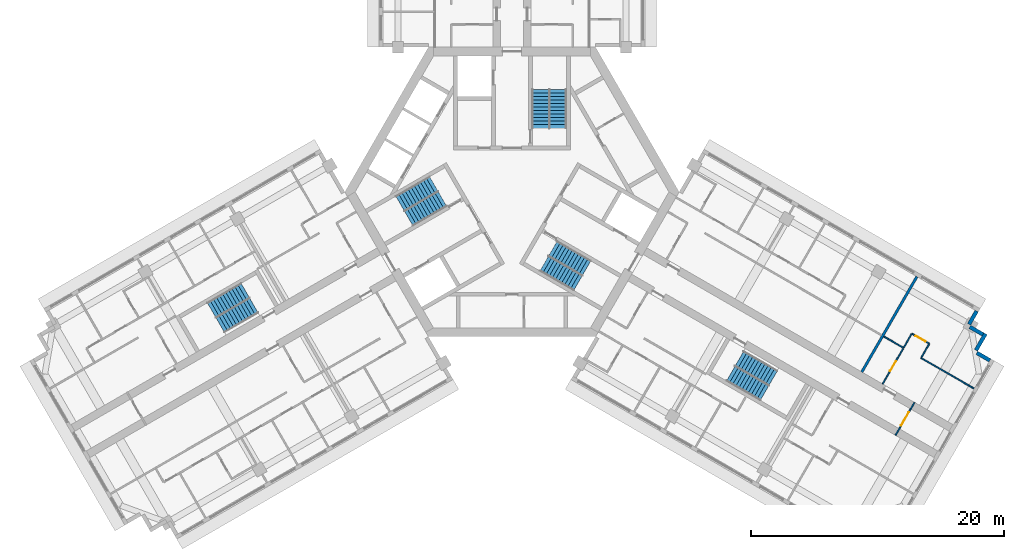
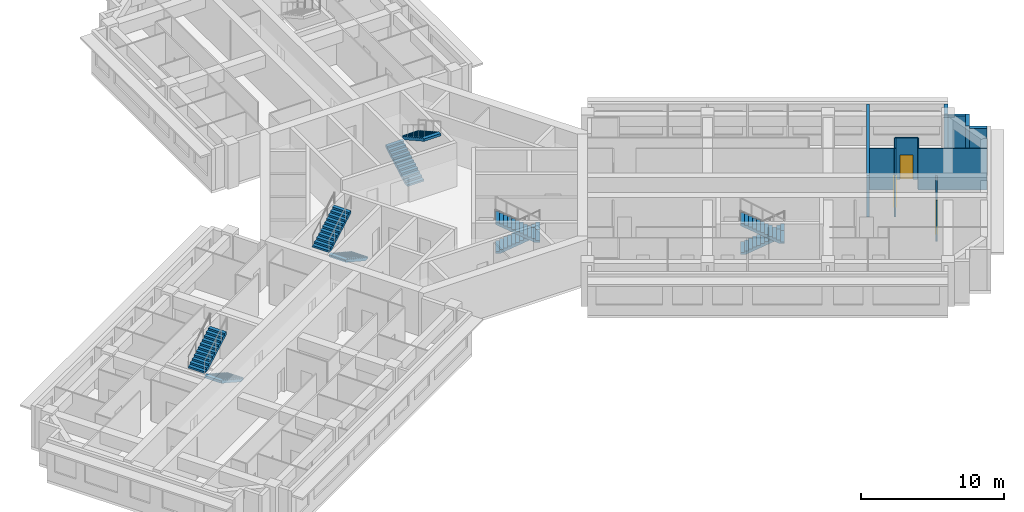
# One storey, part 10 of 12: 12 walls, 10 stair flights, 3 doors, 3 openings, 5 elements without a shape of their own.
"""IFC4 building model written with IfcOpenShell, lengths in metres."""

from ifc_helpers import new_model, si_unit, direction, frame, frame_2d, origin, place, context, subcontext, project, spatial, polyline, rectangle, outline, extrude, material, layer, layer_set, type_object, element, fill, aggregate, save


model = new_model("IFC4")

# Units and contexts
model_context = context("Model", 3, precision=1e-05, world=origin(), true_north=direction((0.0, 1.0)))
body_context = subcontext(model_context, "Body", "Model", "MODEL_VIEW")
ifc_project = project(units=[si_unit("LENGTHUNIT", "METRE"), si_unit("AREAUNIT", "SQUARE_METRE"), si_unit("VOLUMEUNIT", "CUBIC_METRE"), si_unit("PLANEANGLEUNIT", "RADIAN"), si_unit("MASSUNIT", "GRAM", prefix="KILO")], contexts=[model_context])

# Site, building, storey
site_placement = place(None, origin())
site = spatial("IfcSite", under=ifc_project, at=site_placement, CompositionType="ELEMENT")
building_placement = place(site_placement, origin())
building = spatial("IfcBuilding", under=site, at=building_placement, Name="Impinga Residences", CompositionType="ELEMENT")
storey_placement = place(building_placement, frame((0.0, 0.0, 211.0)))
storey = spatial("IfcBuildingStorey", under=building, at=storey_placement, Name="L52", CompositionType="ELEMENT", Elevation=211.0)

# Wall, opening, door
ifc_material_1 = material(Name="Concrete blockwork", Category="masonry")
ifc_layer_1 = layer(ifc_material_1, 0.10009765625)
ifc_layer_set_1 = layer_set([ifc_layer_1], Name="CP1 core room partition, blockwork 100")
wall_type_1 = type_object("IfcWallType", Name="CP1 core room partition, blockwork 100", PredefinedType="PARTITIONING", material=ifc_layer_set_1)
wall_1_placement = place(storey_placement, frame((31.781005859375, -16.61669921875, 0.0), z_axis=(0.0, 0.0, 1.0), x_axis=(-0.499990139034, -0.866031096941, 0.0)))
wall_1 = element("IfcWall", 1, at=wall_1_placement, inside=storey, type_object=wall_type_1, Name="Core room partition, blockwork L52:E:LNG", PredefinedType="PARTITIONING", context=body_context, shape_type="SweptSolid", body=[
    extrude(rectangle(XDim=3.0, YDim=0.10009765625, at=frame_2d((1.5, 0.0))), origin(), (0.0, 0.0, 1.0), 3.530029296875),
])
opening_1_placement = place(wall_1_placement, frame((0.89990234375, 0.0, 0.0)))
opening_1 = element("IfcOpeningElement", 2, at=opening_1_placement, cuts=wall_1, Name="Opening D3", PredefinedType="OPENING", context=body_context, shape_type="SweptSolid", body=[
    extrude(rectangle(XDim=1.199951171875, YDim=2.10009765625, at=frame_2d((0.60009765625, 1.050048828125))), frame((0.0, 0.06005859375, 0.0), z_axis=(0.0, -1.0, 0.0), x_axis=(1.0, 0.0, 0.0)), (0.0, 0.0, 1.0), 0.1201171875),
])
ifc_material_2 = material(Name="Timber door set", Category="wood")
door_type_1 = type_object("IfcDoorType", Name="D3 room door, leaf and a half 1200x2100", OperationType="DOUBLE_SWING_LEFT", PredefinedType="DOOR", material=ifc_material_2)
door_1_placement = place(opening_1_placement, origin())
door_1 = element("IfcDoor", 3, at=door_1_placement, inside=storey, type_object=door_type_1, Name="Residents' lounge door E", OperationType="DOUBLE_SWING_LEFT", OverallHeight=2.10009765625, OverallWidth=1.199951171875, PredefinedType="DOOR", context=body_context, shape_type="SweptSolid", body=[
    extrude(rectangle(XDim=1.199951171875, YDim=2.10009765625, at=frame_2d((0.60009765625, 1.050048828125))), frame((0.0, 0.02490234375, 0.0), z_axis=(0.0, -1.0, 0.0), x_axis=(1.0, 0.0, 0.0)), (0.0, 0.0, 1.0), 0.050048828125),
])
fill(opening_1, door_1)

# Walls
ifc_material_3 = material(Name="Terracotta rainscreen on blockwork", Category="masonry")
ifc_layer_2 = layer(ifc_material_3, 0.300048828125)
ifc_layer_set_2 = layer_set([ifc_layer_2], Name="EW1 external wall, terracotta rainscreen on blockwork 300")
wall_type_2 = type_object("IfcWallType", Name="EW1 external wall, terracotta rainscreen on blockwork 300", PredefinedType="SOLIDWALL", material=ifc_layer_set_2)
wall_2_placement = place(storey_placement, frame((36.69384765625, -9.4072265625, 0.0), z_axis=(0.0, 0.0, 1.0), x_axis=(-0.499880961361, -0.866094119867, 0.0)))
element("IfcWall", 4, at=wall_2_placement, inside=storey, type_object=wall_type_2, Name="External wall EW1 L52", PredefinedType="SOLIDWALL", context=body_context, shape_type="SweptSolid", body=[
    extrude(rectangle(XDim=1.199951171875, YDim=0.300048828125, at=frame_2d((0.60009765625, 0.0))), origin(), (0.0, 0.0, 1.0), 3.530029296875),
])
wall_3_placement = place(storey_placement, frame((36.153076171875, -10.654052734375, 0.0), z_axis=(0.0, 0.0, 1.0), x_axis=(0.866059708757, -0.499940577336, 0.0)))
element("IfcWall", 5, at=wall_3_placement, inside=storey, type_object=wall_type_2, Name="External wall EW1 L52", PredefinedType="SOLIDWALL", context=body_context, shape_type="SweptSolid", body=[
    extrude(rectangle(XDim=1.195068359375, YDim=0.300048828125, at=frame_2d((0.59765625, 0.0))), origin(), (0.0, 0.0, 1.0), 3.530029296875),
])
wall_4_placement = place(storey_placement, frame((37.39306640625, -11.196533203125, 0.0), z_axis=(0.0, 0.0, 1.0), x_axis=(-0.499990139034, -0.866031096941, 0.0)))
element("IfcWall", 6, at=wall_4_placement, inside=storey, type_object=wall_type_2, Name="External wall EW1 L52", PredefinedType="SOLIDWALL", context=body_context, shape_type="SweptSolid", body=[
    extrude(rectangle(XDim=1.5, YDim=0.300048828125, at=frame_2d((0.75, 0.0))), origin(), (0.0, 0.0, 1.0), 3.530029296875),
])
wall_5_placement = place(storey_placement, frame((36.7021484375, -12.702880859375, 0.0), z_axis=(0.0, 0.0, 1.0), x_axis=(0.865971243484, -0.500093796661, 0.0)))
element("IfcWall", 7, at=wall_5_placement, inside=storey, type_object=wall_type_2, Name="External wall EW1 L52", PredefinedType="SOLIDWALL", context=body_context, shape_type="SweptSolid", body=[
    extrude(rectangle(XDim=1.195068359375, YDim=0.300048828125, at=frame_2d((0.59765625, 0.0))), origin(), (0.0, 0.0, 1.0), 3.530029296875),
])
ifc_material_4 = material(Name="Gypsum board on steel studs", Category="steel")
ifc_layer_3 = layer(ifc_material_4, 0.10009765625)
ifc_layer_set_3 = layer_set([ifc_layer_3], Name="Gypsum board on steel studs")
wall_type_3 = type_object("IfcWallType", Name="IP1 partition 100", PredefinedType="PARTITIONING", material=ifc_layer_set_3)
wall_6_placement = place(storey_placement, frame((29.360595703125, -11.408935546875, 0.0), z_axis=(0.0, 0.0, 1.0), x_axis=(0.866047807691, -0.499961193289, 0.0)))
element("IfcWall", 8, at=wall_6_placement, inside=storey, type_object=wall_type_3, Name="Partition L52-EA2:DIV0", PredefinedType="PARTITIONING", context=body_context, shape_type="SweptSolid", body=[
    extrude(rectangle(XDim=1.800048828125, YDim=0.10009765625, at=frame_2d((0.89990234375, 0.0))), origin(), (0.0, 0.0, 1.0), 3.530029296875),
])
wall_7_placement = place(storey_placement, frame((32.30517578125, -13.10888671875, 0.0), z_axis=(0.0, 0.0, 1.0), x_axis=(0.866037363387, -0.499979284789, 0.0)))
element("IfcWall", 9, at=wall_7_placement, inside=storey, type_object=wall_type_3, Name="Partition L52-EA2:DIV1", PredefinedType="PARTITIONING", context=body_context, shape_type="SweptSolid", body=[
    extrude(rectangle(XDim=4.800048828125, YDim=0.10009765625, at=frame_2d((2.39990234375, 0.0))), origin(), (0.0, 0.0, 1.0), 3.530029296875),
])

# Wall, opening, door
wall_8_placement = place(storey_placement, frame((31.569580078125, -11.18310546875, 0.0), z_axis=(0.0, 0.0, 1.0), x_axis=(0.866055983265, -0.499947031044, 0.0)))
wall_8 = element("IfcWall", 10, at=wall_8_placement, inside=storey, type_object=wall_type_3, Name="Partition L52-EA2:STRIP", PredefinedType="PARTITIONING", context=body_context, shape_type="SweptSolid", body=[
    extrude(rectangle(XDim=1.599853515625, YDim=0.10009765625, at=frame_2d((0.7998046875, 0.0))), origin(), (0.0, 0.0, 1.0), 3.530029296875),
])
opening_2_placement = place(wall_8_placement, frame((0.35009765625, 0.0, 0.0)))
opening_2 = element("IfcOpeningElement", 11, at=opening_2_placement, cuts=wall_8, Name="Opening D2", PredefinedType="OPENING", context=body_context, shape_type="SweptSolid", body=[
    extrude(rectangle(XDim=0.89990234375, YDim=2.10009765625, at=frame_2d((0.449951171875, 1.050048828125))), frame((0.0, 0.06005859375, 0.0), z_axis=(0.0, -1.0, 0.0), x_axis=(1.0, 0.0, 0.0)), (0.0, 0.0, 1.0), 0.1201171875),
])
door_type_2 = type_object("IfcDoorType", Name="D2 internal door 900x2100", OperationType="SINGLE_SWING_LEFT", PredefinedType="DOOR", material=ifc_material_2)
door_2_placement = place(opening_2_placement, origin())
door_2 = element("IfcDoor", 12, at=door_2_placement, inside=storey, type_object=door_type_2, Name="Apartment L52-EA2 room door", OperationType="SINGLE_SWING_LEFT", OverallHeight=2.10009765625, OverallWidth=0.89990234375, PredefinedType="DOOR", context=body_context, shape_type="SweptSolid", body=[
    extrude(rectangle(XDim=0.89990234375, YDim=2.10009765625, at=frame_2d((0.449951171875, 1.050048828125))), frame((0.0, 0.02490234375, 0.0), z_axis=(0.0, -1.0, 0.0), x_axis=(1.0, 0.0, 0.0)), (0.0, 0.0, 1.0), 0.050048828125),
])
fill(opening_2, door_2)

# Walls
for number, where, z_axis, x_axis, name in (
    (13, (30.944580078125, -12.265625, 0.0), (0.0, 0.0, 1.0), (0.499880961361, 0.866094119867, 0.0), "Partition L52-EA2:SE0"),
    (14, (32.330078125, -13.0654296875, 0.0), (0.0, 0.0, 1.0), (0.50012165622, 0.865955154139, 0.0), "Partition L52-EA2:SE1"),
):
    element("IfcWall", number, at=place(storey_placement, frame(where, z_axis=z_axis, x_axis=x_axis)), inside=storey, type_object=wall_type_3, Name=name, PredefinedType="PARTITIONING", context=body_context, shape_type="SweptSolid", body=[
        extrude(rectangle(XDim=1.199951171875, YDim=0.10009765625, at=frame_2d((0.60009765625, 0.0))), origin(), (0.0, 0.0, 1.0), 3.530029296875),
    ])

# Wall, opening, door
wall_9_placement = place(storey_placement, frame((29.26953125, -15.166748046875, 0.0), z_axis=(0.0, 0.0, 1.0), x_axis=(0.499984717929, 0.866034226713, 0.0)))
wall_9 = element("IfcWall", 15, at=wall_9_placement, inside=storey, type_object=wall_type_3, Name="Partition L52-EA2:IB1", PredefinedType="PARTITIONING", context=body_context, shape_type="SweptSolid", body=[
    extrude(rectangle(XDim=3.25, YDim=0.10009765625, at=frame_2d((1.625, 0.0))), origin(), (0.0, 0.0, 1.0), 3.530029296875),
])
opening_3_placement = place(wall_9_placement, frame((1.175048828125, 0.0, 0.0)))
opening_3 = element("IfcOpeningElement", 16, at=opening_3_placement, cuts=wall_9, Name="Opening D2", PredefinedType="OPENING", context=body_context, shape_type="SweptSolid", body=[
    extrude(rectangle(XDim=0.89990234375, YDim=2.10009765625, at=frame_2d((0.449951171875, 1.050048828125))), frame((0.0, 0.06005859375, 0.0), z_axis=(0.0, -1.0, 0.0), x_axis=(1.0, 0.0, 0.0)), (0.0, 0.0, 1.0), 0.1201171875),
])
door_3_placement = place(opening_3_placement, origin())
door_3 = element("IfcDoor", 17, at=door_3_placement, inside=storey, type_object=door_type_2, Name="Apartment L52-EA2 bathroom door", OperationType="SINGLE_SWING_LEFT", OverallHeight=2.10009765625, OverallWidth=0.89990234375, PredefinedType="DOOR", context=body_context, shape_type="SweptSolid", body=[
    extrude(rectangle(XDim=0.89990234375, YDim=2.10009765625, at=frame_2d((0.449951171875, 1.050048828125))), frame((0.0, 0.02490234375, 0.0), z_axis=(0.0, -1.0, 0.0), x_axis=(1.0, 0.0, 0.0)), (0.0, 0.0, 1.0), 0.050048828125),
])
fill(opening_3, door_3)

# Wall
ifc_layer_4 = layer(ifc_material_1, 0.199951171875)
ifc_layer_set_4 = layer_set([ifc_layer_4], Name="PW1 party wall between apartments 200")
wall_type_4 = type_object("IfcWallType", Name="PW1 party wall between apartments 200", PredefinedType="SOLIDWALL", material=ifc_layer_set_4)
wall_10_placement = place(storey_placement, frame((27.6240234375, -14.216796875, 0.0), z_axis=(0.0, 0.0, 1.0), x_axis=(0.500008278454, 0.866020624164, 0.0)))
element("IfcWall", 18, at=wall_10_placement, inside=storey, type_object=wall_type_4, Name="Party wall between apartments L52-EA1:PARTY", PredefinedType="SOLIDWALL", context=body_context, shape_type="SweptSolid", body=[
    extrude(rectangle(XDim=8.699951171875, YDim=0.199951171875, at=frame_2d((4.35009765625, 0.0))), origin(), (0.0, 0.0, 1.0), 3.530029296875),
])

# Stair, stair flights
ifc_material_5 = material(Name="Concrete C40/50", Category="concrete")
stair_type_1 = type_object("IfcStairType", Name="STR core stair 3750 storey, 24 risers", PredefinedType="HALF_TURN_STAIR", material=ifc_material_5)
stair_1_placement = place(storey_placement, origin())
stair_1 = element("IfcStair", 19, at=stair_1_placement, inside=storey, type_object=stair_type_1, Name="Stair ST1 L52", PredefinedType="HALF_TURN_STAIR")
stair_flight_type = type_object("IfcStairFlightType", Name="SF 12 risers of 156", PredefinedType="STRAIGHT", material=ifc_material_5)
stair_flight_1_placement = place(storey_placement, frame((2.27490234375, 5.030029296875, 0.0), z_axis=(0.0, 0.0, 1.0), x_axis=(0.0, 1.0, 0.0)))
stair_flight_1 = element("IfcStairFlight", 20, at=stair_flight_1_placement, type_object=stair_flight_type, Name="ST1 flight 1", NumberOfRisers=12, NumberOfTreads=11, PredefinedType="STRAIGHT", RiserHeight=0.15625, TreadLength=0.28, context=body_context, shape_type="SweptSolid", body=[
    extrude(outline(polyline([(0.0, 0.0), (0.0, 0.15625), (0.280029296875, 0.15625), (0.280029296875, 0.3125), (0.56005859375, 0.3125), (0.56005859375, 0.46875), (0.840087890625, 0.46875), (0.840087890625, 0.625), (1.1201171875, 0.625), (1.1201171875, 0.78125), (1.39990234375, 0.78125), (1.39990234375, 0.9375), (1.679931640625, 0.9375), (1.679931640625, 1.09375), (1.9599609375, 1.09375), (1.9599609375, 1.25), (2.239990234375, 1.25), (2.239990234375, 1.40625), (2.52001953125, 1.40625), (2.52001953125, 1.5625), (2.800048828125, 1.5625), (2.800048828125, 1.71875), (3.080078125, 1.71875), (3.080078125, 1.875), (3.080078125, 1.5126953125), (0.369140625, 0.0), (0.0, 0.0)])), frame((0.0, 0.675048828125, 0.0), z_axis=(0.0, -1.0, 0.0), x_axis=(1.0, 0.0, 0.0)), (0.0, 0.0, 1.0), 1.35009765625),
])
stair_flight_2_placement = place(storey_placement, frame((3.625, 8.110107421875, 1.875), z_axis=(0.0, 0.0, 1.0), x_axis=(0.0, -1.0, 0.0)))
stair_flight_2 = element("IfcStairFlight", 21, at=stair_flight_2_placement, type_object=stair_flight_type, Name="ST1 flight 2", NumberOfRisers=12, NumberOfTreads=11, PredefinedType="STRAIGHT", RiserHeight=0.15625, TreadLength=0.28, context=body_context, shape_type="SweptSolid", body=[
    extrude(outline(polyline([(0.0, 0.0), (0.0, 0.15625), (0.280029296875, 0.15625), (0.280029296875, 0.3125), (0.56005859375, 0.3125), (0.56005859375, 0.46875), (0.840087890625, 0.46875), (0.840087890625, 0.625), (1.1201171875, 0.625), (1.1201171875, 0.78125), (1.39990234375, 0.78125), (1.39990234375, 0.9375), (1.679931640625, 0.9375), (1.679931640625, 1.09375), (1.9599609375, 1.09375), (1.9599609375, 1.25), (2.239990234375, 1.25), (2.239990234375, 1.40625), (2.52001953125, 1.40625), (2.52001953125, 1.5625), (2.800048828125, 1.5625), (2.800048828125, 1.71875), (3.080078125, 1.71875), (3.080078125, 1.875), (3.080078125, 1.5126953125), (0.369140625, 0.0), (0.0, 0.0)])), frame((0.0, 0.675048828125, 0.0), z_axis=(0.0, -1.0, 0.0), x_axis=(1.0, 0.0, 0.0)), (0.0, 0.0, 1.0), 1.35009765625),
])
aggregate(stair_1, [stair_flight_1, stair_flight_2])

stair_2_placement = place(storey_placement, origin())
stair_2 = element("IfcStair", 22, at=stair_2_placement, inside=storey, type_object=stair_type_1, Name="Stair ST2 L52", PredefinedType="HALF_TURN_STAIR")
stair_flight_3_placement = place(storey_placement, frame((-5.49365234375, -0.544677734375, 0.0), z_axis=(0.0, 0.0, 1.0), x_axis=(-0.866025403784, -0.5, 0.0)))
stair_flight_3 = element("IfcStairFlight", 23, at=stair_flight_3_placement, type_object=stair_flight_type, Name="ST2 flight 1", NumberOfRisers=12, NumberOfTreads=11, PredefinedType="STRAIGHT", RiserHeight=0.15625, TreadLength=0.28, context=body_context, shape_type="SweptSolid", body=[
    extrude(outline(polyline([(0.0, 0.0), (0.0, 0.15625), (0.280029296875, 0.15625), (0.280029296875, 0.3125), (0.56005859375, 0.3125), (0.56005859375, 0.46875), (0.840087890625, 0.46875), (0.840087890625, 0.625), (1.1201171875, 0.625), (1.1201171875, 0.78125), (1.39990234375, 0.78125), (1.39990234375, 0.9375), (1.679931640625, 0.9375), (1.679931640625, 1.09375), (1.9599609375, 1.09375), (1.9599609375, 1.25), (2.239990234375, 1.25), (2.239990234375, 1.40625), (2.52001953125, 1.40625), (2.52001953125, 1.5625), (2.800048828125, 1.5625), (2.800048828125, 1.71875), (3.080078125, 1.71875), (3.080078125, 1.875), (3.080078125, 1.5126953125), (0.369140625, 0.0), (0.0, 0.0)])), frame((0.0, 0.675048828125, 0.0), z_axis=(0.0, -1.0, 0.0), x_axis=(1.0, 0.0, 0.0)), (0.0, 0.0, 1.0), 1.35009765625),
])
stair_flight_4_placement = place(storey_placement, frame((-8.8359375, -0.915771484375, 1.875), z_axis=(0.0, 0.0, 1.0), x_axis=(0.866025403784, 0.5, 0.0)))
stair_flight_4 = element("IfcStairFlight", 24, at=stair_flight_4_placement, type_object=stair_flight_type, Name="ST2 flight 2", NumberOfRisers=12, NumberOfTreads=11, PredefinedType="STRAIGHT", RiserHeight=0.15625, TreadLength=0.28, context=body_context, shape_type="SweptSolid", body=[
    extrude(outline(polyline([(0.0, 0.0), (0.0, 0.15625), (0.280029296875, 0.15625), (0.280029296875, 0.3125), (0.56005859375, 0.3125), (0.56005859375, 0.46875), (0.840087890625, 0.46875), (0.840087890625, 0.625), (1.1201171875, 0.625), (1.1201171875, 0.78125), (1.39990234375, 0.78125), (1.39990234375, 0.9375), (1.679931640625, 0.9375), (1.679931640625, 1.09375), (1.9599609375, 1.09375), (1.9599609375, 1.25), (2.239990234375, 1.25), (2.239990234375, 1.40625), (2.52001953125, 1.40625), (2.52001953125, 1.5625), (2.800048828125, 1.5625), (2.800048828125, 1.71875), (3.080078125, 1.71875), (3.080078125, 1.875), (3.080078125, 1.5126953125), (0.369140625, 0.0), (0.0, 0.0)])), frame((0.0, 0.675048828125, 0.0), z_axis=(0.0, -1.0, 0.0), x_axis=(1.0, 0.0, 0.0)), (0.0, 0.0, 1.0), 1.35009765625),
])
aggregate(stair_2, [stair_flight_3, stair_flight_4])

stair_3_placement = place(storey_placement, origin())
stair_3 = element("IfcStair", 25, at=stair_3_placement, inside=storey, type_object=stair_type_1, Name="Stair ST3 L52", PredefinedType="HALF_TURN_STAIR")
stair_flight_5_placement = place(storey_placement, frame((3.218505859375, -4.485107421875, 0.0), z_axis=(0.0, 0.0, 1.0), x_axis=(0.866025403784, -0.5, 0.0)))
stair_flight_5 = element("IfcStairFlight", 26, at=stair_flight_5_placement, type_object=stair_flight_type, Name="ST3 flight 1", NumberOfRisers=12, NumberOfTreads=11, PredefinedType="STRAIGHT", RiserHeight=0.15625, TreadLength=0.28, context=body_context, shape_type="SweptSolid", body=[
    extrude(outline(polyline([(0.0, 0.0), (0.0, 0.15625), (0.280029296875, 0.15625), (0.280029296875, 0.3125), (0.56005859375, 0.3125), (0.56005859375, 0.46875), (0.840087890625, 0.46875), (0.840087890625, 0.625), (1.1201171875, 0.625), (1.1201171875, 0.78125), (1.39990234375, 0.78125), (1.39990234375, 0.9375), (1.679931640625, 0.9375), (1.679931640625, 1.09375), (1.9599609375, 1.09375), (1.9599609375, 1.25), (2.239990234375, 1.25), (2.239990234375, 1.40625), (2.52001953125, 1.40625), (2.52001953125, 1.5625), (2.800048828125, 1.5625), (2.800048828125, 1.71875), (3.080078125, 1.71875), (3.080078125, 1.875), (3.080078125, 1.5126953125), (0.369140625, 0.0), (0.0, 0.0)])), frame((0.0, 0.675048828125, 0.0), z_axis=(0.0, -1.0, 0.0), x_axis=(1.0, 0.0, 0.0)), (0.0, 0.0, 1.0), 1.35009765625),
])
stair_flight_6_placement = place(storey_placement, frame((5.2109375, -7.1943359375, 1.875), z_axis=(0.0, 0.0, 1.0), x_axis=(-0.866025403784, 0.5, 0.0)))
stair_flight_6 = element("IfcStairFlight", 27, at=stair_flight_6_placement, type_object=stair_flight_type, Name="ST3 flight 2", NumberOfRisers=12, NumberOfTreads=11, PredefinedType="STRAIGHT", RiserHeight=0.15625, TreadLength=0.28, context=body_context, shape_type="SweptSolid", body=[
    extrude(outline(polyline([(0.0, 0.0), (0.0, 0.15625), (0.280029296875, 0.15625), (0.280029296875, 0.3125), (0.56005859375, 0.3125), (0.56005859375, 0.46875), (0.840087890625, 0.46875), (0.840087890625, 0.625), (1.1201171875, 0.625), (1.1201171875, 0.78125), (1.39990234375, 0.78125), (1.39990234375, 0.9375), (1.679931640625, 0.9375), (1.679931640625, 1.09375), (1.9599609375, 1.09375), (1.9599609375, 1.25), (2.239990234375, 1.25), (2.239990234375, 1.40625), (2.52001953125, 1.40625), (2.52001953125, 1.5625), (2.800048828125, 1.5625), (2.800048828125, 1.71875), (3.080078125, 1.71875), (3.080078125, 1.875), (3.080078125, 1.5126953125), (0.369140625, 0.0), (0.0, 0.0)])), frame((0.0, 0.675048828125, 0.0), z_axis=(0.0, -1.0, 0.0), x_axis=(1.0, 0.0, 0.0)), (0.0, 0.0, 1.0), 1.35009765625),
])
aggregate(stair_3, [stair_flight_5, stair_flight_6])

stair_type_2 = type_object("IfcStairType", Name="STR wing stair 3750 storey, 24 risers", PredefinedType="HALF_TURN_STAIR", material=ifc_material_5)
stair_4_placement = place(storey_placement, origin())
stair_4 = element("IfcStair", 28, at=stair_4_placement, inside=storey, type_object=stair_type_2, Name="Stair WS2 L52", PredefinedType="HALF_TURN_STAIR")
stair_flight_7_placement = place(storey_placement, frame((-20.37890625, -8.965576171875, 0.0), z_axis=(0.0, 0.0, 1.0), x_axis=(-0.866025403784, -0.5, 0.0)))
stair_flight_7 = element("IfcStairFlight", 29, at=stair_flight_7_placement, type_object=stair_flight_type, Name="WS2 flight 1", NumberOfRisers=12, NumberOfTreads=11, PredefinedType="STRAIGHT", RiserHeight=0.15625, TreadLength=0.28, context=body_context, shape_type="SweptSolid", body=[
    extrude(outline(polyline([(0.0, 0.0), (0.0, 0.15625), (0.280029296875, 0.15625), (0.280029296875, 0.3125), (0.56005859375, 0.3125), (0.56005859375, 0.46875), (0.840087890625, 0.46875), (0.840087890625, 0.625), (1.1201171875, 0.625), (1.1201171875, 0.78125), (1.39990234375, 0.78125), (1.39990234375, 0.9375), (1.679931640625, 0.9375), (1.679931640625, 1.09375), (1.9599609375, 1.09375), (1.9599609375, 1.25), (2.239990234375, 1.25), (2.239990234375, 1.40625), (2.52001953125, 1.40625), (2.52001953125, 1.5625), (2.800048828125, 1.5625), (2.800048828125, 1.71875), (3.080078125, 1.71875), (3.080078125, 1.875), (3.080078125, 1.5126953125), (0.369140625, 0.0), (0.0, 0.0)])), frame((0.0, 0.675048828125, 0.0), z_axis=(0.0, -1.0, 0.0), x_axis=(1.0, 0.0, 0.0)), (0.0, 0.0, 1.0), 1.35009765625),
])
stair_flight_8_placement = place(storey_placement, frame((-23.721435546875, -9.33642578125, 1.875), z_axis=(0.0, 0.0, 1.0), x_axis=(0.866025403784, 0.5, 0.0)))
stair_flight_8 = element("IfcStairFlight", 30, at=stair_flight_8_placement, type_object=stair_flight_type, Name="WS2 flight 2", NumberOfRisers=12, NumberOfTreads=11, PredefinedType="STRAIGHT", RiserHeight=0.15625, TreadLength=0.28, context=body_context, shape_type="SweptSolid", body=[
    extrude(outline(polyline([(0.0, 0.0), (0.0, 0.15625), (0.280029296875, 0.15625), (0.280029296875, 0.3125), (0.56005859375, 0.3125), (0.56005859375, 0.46875), (0.840087890625, 0.46875), (0.840087890625, 0.625), (1.1201171875, 0.625), (1.1201171875, 0.78125), (1.39990234375, 0.78125), (1.39990234375, 0.9375), (1.679931640625, 0.9375), (1.679931640625, 1.09375), (1.9599609375, 1.09375), (1.9599609375, 1.25), (2.239990234375, 1.25), (2.239990234375, 1.40625), (2.52001953125, 1.40625), (2.52001953125, 1.5625), (2.800048828125, 1.5625), (2.800048828125, 1.71875), (3.080078125, 1.71875), (3.080078125, 1.875), (3.080078125, 1.5126953125), (0.369140625, 0.0), (0.0, 0.0)])), frame((0.0, 0.675048828125, 0.0), z_axis=(0.0, -1.0, 0.0), x_axis=(1.0, 0.0, 0.0)), (0.0, 0.0, 1.0), 1.35009765625),
])
aggregate(stair_4, [stair_flight_7, stair_flight_8])

stair_5_placement = place(storey_placement, origin())
stair_5 = element("IfcStair", 31, at=stair_5_placement, inside=storey, type_object=stair_type_2, Name="Stair WS3 L52", PredefinedType="HALF_TURN_STAIR")
stair_flight_9_placement = place(storey_placement, frame((17.953857421875, -13.165771484375, 0.0), z_axis=(0.0, 0.0, 1.0), x_axis=(0.866025403784, -0.5, 0.0)))
stair_flight_9 = element("IfcStairFlight", 32, at=stair_flight_9_placement, type_object=stair_flight_type, Name="WS3 flight 1", NumberOfRisers=12, NumberOfTreads=11, PredefinedType="STRAIGHT", RiserHeight=0.15625, TreadLength=0.28, context=body_context, shape_type="SweptSolid", body=[
    extrude(outline(polyline([(0.0, 0.0), (0.0, 0.15625), (0.280029296875, 0.15625), (0.280029296875, 0.3125), (0.56005859375, 0.3125), (0.56005859375, 0.46875), (0.840087890625, 0.46875), (0.840087890625, 0.625), (1.1201171875, 0.625), (1.1201171875, 0.78125), (1.39990234375, 0.78125), (1.39990234375, 0.9375), (1.679931640625, 0.9375), (1.679931640625, 1.09375), (1.9599609375, 1.09375), (1.9599609375, 1.25), (2.239990234375, 1.25), (2.239990234375, 1.40625), (2.52001953125, 1.40625), (2.52001953125, 1.5625), (2.800048828125, 1.5625), (2.800048828125, 1.71875), (3.080078125, 1.71875), (3.080078125, 1.875), (3.080078125, 1.5126953125), (0.369140625, 0.0), (0.0, 0.0)])), frame((0.0, 0.675048828125, 0.0), z_axis=(0.0, -1.0, 0.0), x_axis=(1.0, 0.0, 0.0)), (0.0, 0.0, 1.0), 1.35009765625),
])
stair_flight_10_placement = place(storey_placement, frame((19.9462890625, -15.875, 1.875), z_axis=(0.0, 0.0, 1.0), x_axis=(-0.866025403784, 0.5, 0.0)))
stair_flight_10 = element("IfcStairFlight", 33, at=stair_flight_10_placement, type_object=stair_flight_type, Name="WS3 flight 2", NumberOfRisers=12, NumberOfTreads=11, PredefinedType="STRAIGHT", RiserHeight=0.15625, TreadLength=0.28, context=body_context, shape_type="SweptSolid", body=[
    extrude(outline(polyline([(0.0, 0.0), (0.0, 0.15625), (0.280029296875, 0.15625), (0.280029296875, 0.3125), (0.56005859375, 0.3125), (0.56005859375, 0.46875), (0.840087890625, 0.46875), (0.840087890625, 0.625), (1.1201171875, 0.625), (1.1201171875, 0.78125), (1.39990234375, 0.78125), (1.39990234375, 0.9375), (1.679931640625, 0.9375), (1.679931640625, 1.09375), (1.9599609375, 1.09375), (1.9599609375, 1.25), (2.239990234375, 1.25), (2.239990234375, 1.40625), (2.52001953125, 1.40625), (2.52001953125, 1.5625), (2.800048828125, 1.5625), (2.800048828125, 1.71875), (3.080078125, 1.71875), (3.080078125, 1.875), (3.080078125, 1.5126953125), (0.369140625, 0.0), (0.0, 0.0)])), frame((0.0, 0.675048828125, 0.0), z_axis=(0.0, -1.0, 0.0), x_axis=(1.0, 0.0, 0.0)), (0.0, 0.0, 1.0), 1.35009765625),
])
aggregate(stair_5, [stair_flight_9, stair_flight_10])

save(model, "model.ifc")
